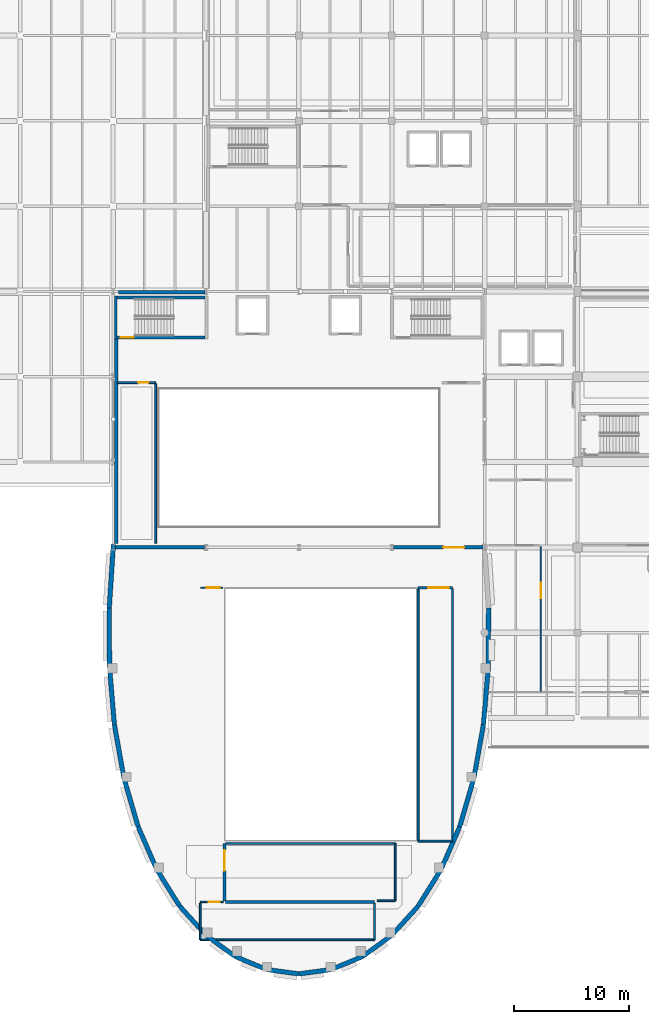
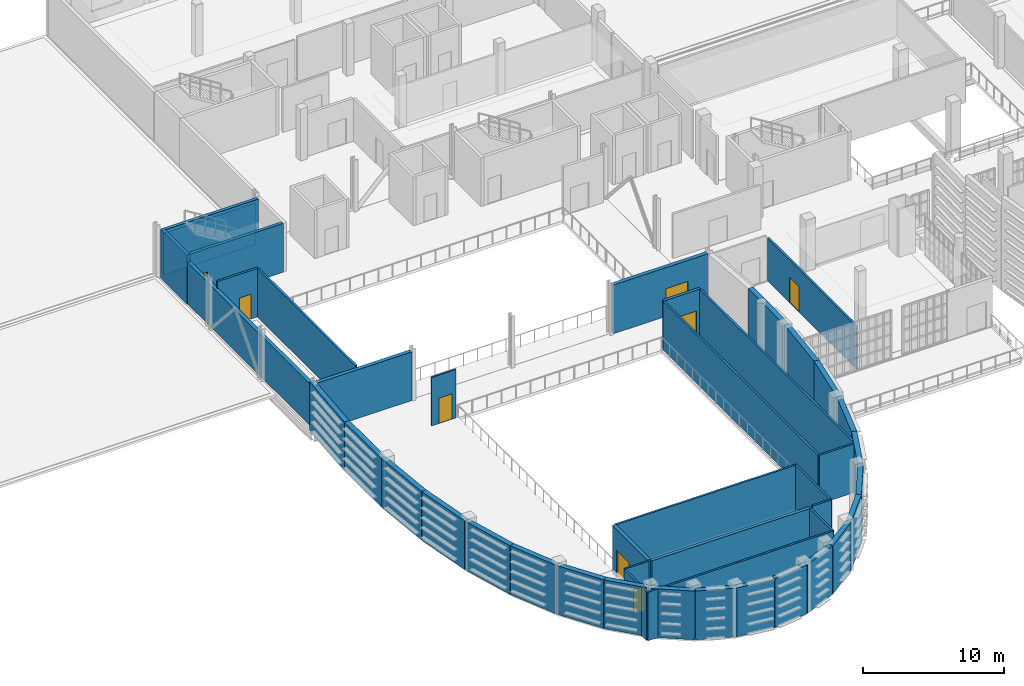
# One storey, part 59 of 73: 45 walls, 8 doors, 8 openings.
"""IFC4 building model written with IfcOpenShell, lengths in metres."""

from ifc_helpers import new_model, si_unit, direction, frame, frame_2d, origin, place, context, subcontext, project, spatial, rectangle, extrude, material, layer, layer_set, type_object, element, fill, save


model = new_model("IFC4")

# Units and contexts
model_context = context("Model", 3, precision=1e-05, world=origin(), true_north=direction((0.0, 1.0)))
body_context = subcontext(model_context, "Body", "Model", "MODEL_VIEW")
ifc_project = project(units=[si_unit("LENGTHUNIT", "METRE"), si_unit("AREAUNIT", "SQUARE_METRE"), si_unit("VOLUMEUNIT", "CUBIC_METRE"), si_unit("PLANEANGLEUNIT", "RADIAN"), si_unit("MASSUNIT", "GRAM", prefix="KILO")], contexts=[model_context])

# Site, building, storey
site_placement = place(None, origin())
site = spatial("IfcSite", under=ifc_project, at=site_placement, CompositionType="ELEMENT")
building_placement = place(site_placement, origin())
building = spatial("IfcBuilding", under=site, at=building_placement, Name="Kaelora Sail Theatre", CompositionType="ELEMENT")
storey_placement = place(building_placement, frame((0.0, 0.0, 10.199951171875)))
storey = spatial("IfcBuildingStorey", under=building, at=storey_placement, Name="L02", CompositionType="ELEMENT", Elevation=10.199951171875)

# Wall, opening, door
ifc_material_1 = material(Name="Concrete C40/50", Category="concrete")
ifc_layer_1 = layer(ifc_material_1, 0.25)
ifc_layer_set_1 = layer_set([ifc_layer_1], Name="Concrete C40/50")
wall_type_1 = type_object("IfcWallType", Name="ARC-WL-CW-250", PredefinedType="SHEAR", material=ifc_layer_set_1)
wall_1_placement = place(storey_placement, frame((26.155029296875, 79.324951171875, 0.0), z_axis=(0.0, 0.0, 1.0), x_axis=(1.0, 0.0, 0.0)))
wall_1 = element("IfcWall", 1, at=wall_1_placement, inside=storey, type_object=wall_type_1, Name="Stair shaft ST-K1 wall L02-S", PredefinedType="SHEAR", context=body_context, shape_type="SweptSolid", body=[
    extrude(rectangle(XDim=7.639892578125, YDim=0.25, at=frame_2d((3.81982421875, 0.0))), origin(), (0.0, 0.0, 1.0), 4.22509765625),
])
opening_1_placement = place(wall_1_placement, frame((0.320068359375, 0.0, 0.0)))
opening_1 = element("IfcOpeningElement", 2, at=opening_1_placement, cuts=wall_1, Name="Opening FD-02", PredefinedType="OPENING", context=body_context, shape_type="SweptSolid", body=[
    extrude(rectangle(XDim=1.10009765625, YDim=2.199951171875, at=frame_2d((0.550048828125, 1.10009765625))), frame((0.0, 0.135, 0.0), z_axis=(0.0, -1.0, 0.0), x_axis=(1.0, 0.0, 0.0)), (0.0, 0.0, 1.0), 0.27),
])
ifc_material_2 = material(Name="Acoustic steel single stair/lobby fire door EI 90-C", Category="steel")
door_type_1 = type_object("IfcDoorType", Name="ARC-DR-FD-02", OperationType="NOTDEFINED", PredefinedType="DOOR", material=ifc_material_2)
door_1_placement = place(opening_1_placement, origin())
door_1 = element("IfcDoor", 3, at=door_1_placement, inside=storey, type_object=door_type_1, Name="Stair ST-K1 door (L02)", OperationType="SINGLE_SWING_LEFT", OverallHeight=2.199951171875, OverallWidth=1.10009765625, PredefinedType="DOOR", context=body_context, shape_type="SweptSolid", body=[
    extrude(rectangle(XDim=1.10009765625, YDim=2.199951171875, at=frame_2d((0.550048828125, 1.10009765625))), frame((0.0, 0.02490234375, 0.0), z_axis=(0.0, -1.0, 0.0), x_axis=(1.0, 0.0, 0.0)), (0.0, 0.0, 1.0), 0.050048828125),
])
fill(opening_1, door_1)

# Walls
wall_2_placement = place(storey_placement, frame((26.155029296875, 82.824951171875, 0.0), z_axis=(0.0, 0.0, 1.0), x_axis=(1.0, 0.0, 0.0)))
element("IfcWall", 4, at=wall_2_placement, inside=storey, type_object=wall_type_1, Name="Stair shaft ST-K1 wall L02-N", PredefinedType="SHEAR", context=body_context, shape_type="SweptSolid", body=[
    extrude(rectangle(XDim=7.639892578125, YDim=0.25, at=frame_2d((3.81982421875, 0.0))), origin(), (0.0, 0.0, 1.0), 4.22509765625),
])
wall_3_placement = place(storey_placement, frame((26.02490234375, 79.199951171875, 0.0), z_axis=(0.0, 0.0, 1.0), x_axis=(0.0, 1.0, 0.0)))
element("IfcWall", 5, at=wall_3_placement, inside=storey, type_object=wall_type_1, Name="Stair shaft ST-K1 wall L02-W", PredefinedType="SHEAR", context=body_context, shape_type="SweptSolid", body=[
    extrude(rectangle(XDim=3.75, YDim=0.25, at=frame_2d((1.875, 0.0))), origin(), (0.0, 0.0, 1.0), 4.22509765625),
])
ifc_material_3 = material(Name="Concrete C45/55", Category="concrete")
ifc_layer_2 = layer(ifc_material_3, 0.300048828125)
ifc_layer_set_2 = layer_set([ifc_layer_2], Name="Concrete C45/55")
wall_type_2 = type_object("IfcWallType", Name="ARC-WL-CW-300", PredefinedType="SHEAR", material=ifc_layer_set_2)
wall_4_placement = place(storey_placement, frame((25.951904296875, 61.02001953125, 0.0), z_axis=(0.0, 0.0, 1.0), x_axis=(1.0, 0.0, 0.0)))
element("IfcWall", 6, at=wall_4_placement, inside=storey, type_object=wall_type_2, Name="Proscenium fire wall L02-W", PredefinedType="SHEAR", context=body_context, shape_type="SweptSolid", body=[
    extrude(rectangle(XDim=7.796142578125, YDim=0.300048828125, at=frame_2d((3.89794921875, 0.0))), origin(), (0.0, 0.0, 1.0), 4.22509765625),
])

# Wall, opening, door
wall_5_placement = place(storey_placement, frame((50.251953125, 61.02001953125, 0.0), z_axis=(0.0, 0.0, 1.0), x_axis=(1.0, 0.0, 0.0)))
wall_5 = element("IfcWall", 7, at=wall_5_placement, inside=storey, type_object=wall_type_2, Name="Proscenium fire wall L02-E", PredefinedType="SHEAR", context=body_context, shape_type="SweptSolid", body=[
    extrude(rectangle(XDim=7.796142578125, YDim=0.300048828125, at=frame_2d((3.89794921875, 0.0))), origin(), (0.0, 0.0, 1.0), 4.22509765625),
])
opening_2_placement = place(wall_5_placement, frame((4.35009765625, 0.0, 0.0)))
opening_2 = element("IfcOpeningElement", 8, at=opening_2_placement, cuts=wall_5, Name="Opening FD-03", PredefinedType="OPENING", context=body_context, shape_type="SweptSolid", body=[
    extrude(rectangle(XDim=1.800048828125, YDim=2.39990234375, at=frame_2d((0.89990234375, 1.199951171875))), frame((0.0, 0.159902, 0.0), z_axis=(0.0, -1.0, 0.0), x_axis=(1.0, 0.0, 0.0)), (0.0, 0.0, 1.0), 0.320049),
])
ifc_material_4 = material(Name="Auditorium acoustic double sound-lock fire door FD60S", Category="steel")
door_type_2 = type_object("IfcDoorType", Name="ARC-DR-FD-03", OperationType="NOTDEFINED", PredefinedType="DOOR", material=ifc_material_4)
door_2_placement = place(opening_2_placement, origin())
door_2 = element("IfcDoor", 9, at=door_2_placement, inside=storey, type_object=door_type_2, Name="Stage-to-Auditorium Fire Door L02", OperationType="DOUBLE_DOOR_SINGLE_SWING", OverallHeight=2.39990234375, OverallWidth=1.800048828125, PredefinedType="DOOR", context=body_context, shape_type="SweptSolid", body=[
    extrude(rectangle(XDim=1.800048828125, YDim=2.39990234375, at=frame_2d((0.89990234375, 1.199951171875))), frame((0.0, 0.02490234375, 0.0), z_axis=(0.0, -1.0, 0.0), x_axis=(1.0, 0.0, 0.0)), (0.0, 0.0, 1.0), 0.050048828125),
])
fill(opening_2, door_2)

# Walls
ifc_material_5 = material(Name="Concrete C50/60", Category="concrete")
ifc_layer_3 = layer(ifc_material_5, 0.39990234375)
ifc_layer_set_3 = layer_set([ifc_layer_3], Name="Concrete C50/60")
wall_type_3 = type_object("IfcWallType", Name="ARC-WL-DW-400", PredefinedType="SHEAR", material=ifc_layer_set_3)
wall_6_placement = place(storey_placement, frame((58.542236328125, 55.725830078125, 0.0), z_axis=(0.0, 0.0, 1.0), x_axis=(-0.004895671688, -0.999988016128, 0.0)))
element("IfcWall", 10, at=wall_6_placement, inside=storey, type_object=wall_type_3, Name="Main Theatre Sail Drum curved drum acoustic wall L02 chord 2", PredefinedType="SHEAR", context=body_context, shape_type="SweptSolid", body=[
    extrude(rectangle(XDim=5.186279296875, YDim=0.39990234375, at=frame_2d((2.59326171875, 0.0))), origin(), (0.0, 0.0, 1.0), 4.22509765625),
])
wall_7_placement = place(storey_placement, frame((58.516845703125, 50.53955078125, 0.0), z_axis=(0.0, 0.0, 1.0), x_axis=(-0.084239735825, -0.996445516277, 0.0)))
element("IfcWall", 11, at=wall_7_placement, inside=storey, type_object=wall_type_3, Name="Main Theatre Sail Drum curved drum acoustic wall L02 chord 3", PredefinedType="SHEAR", context=body_context, shape_type="SweptSolid", body=[
    extrude(rectangle(XDim=4.99072265625, YDim=0.39990234375, at=frame_2d((2.495361328125, 0.0))), origin(), (0.0, 0.0, 1.0), 4.22509765625),
])
wall_8_placement = place(storey_placement, frame((58.096435546875, 45.566650390625, 0.0), z_axis=(0.0, 0.0, 1.0), x_axis=(-0.17557456422, -0.98446613573, 0.0)))
element("IfcWall", 12, at=wall_8_placement, inside=storey, type_object=wall_type_3, Name="Main Theatre Sail Drum curved drum acoustic wall L02 chord 4", PredefinedType="SHEAR", context=body_context, shape_type="SweptSolid", body=[
    extrude(rectangle(XDim=4.73193359375, YDim=0.39990234375, at=frame_2d((2.365966796875, 0.0))), origin(), (0.0, 0.0, 1.0), 4.22509765625),
])
wall_9_placement = place(storey_placement, frame((57.265625, 40.908203125, 0.0), z_axis=(0.0, 0.0, 1.0), x_axis=(-0.280296498643, -0.959913471542, 0.0)))
element("IfcWall", 13, at=wall_9_placement, inside=storey, type_object=wall_type_3, Name="Main Theatre Sail Drum curved drum acoustic wall L02 chord 5", PredefinedType="SHEAR", context=body_context, shape_type="SweptSolid", body=[
    extrude(rectangle(XDim=4.426513671875, YDim=0.39990234375, at=frame_2d((2.21337890625, 0.0))), origin(), (0.0, 0.0, 1.0), 4.22509765625),
])
wall_10_placement = place(storey_placement, frame((56.02490234375, 36.6591796875, 0.0), z_axis=(0.0, 0.0, 1.0), x_axis=(-0.39928213013, -0.916828108513, 0.0)))
element("IfcWall", 14, at=wall_10_placement, inside=storey, type_object=wall_type_3, Name="Main Theatre Sail Drum curved drum acoustic wall L02 chord 6", PredefinedType="SHEAR", context=body_context, shape_type="SweptSolid", body=[
    extrude(rectangle(XDim=4.09375, YDim=0.39990234375, at=frame_2d((2.046875, 0.0))), origin(), (0.0, 0.0, 1.0), 4.22509765625),
])
wall_11_placement = place(storey_placement, frame((54.390380859375, 32.906005859375, 0.0), z_axis=(0.0, 0.0, 1.0), x_axis=(-0.531284290946, -0.847193603726, 0.0)))
element("IfcWall", 15, at=wall_11_placement, inside=storey, type_object=wall_type_3, Name="Main Theatre Sail Drum curved drum acoustic wall L02 chord 7", PredefinedType="SHEAR", context=body_context, shape_type="SweptSolid", body=[
    extrude(rectangle(XDim=3.75439453125, YDim=0.39990234375, at=frame_2d((1.877197265625, 0.0))), origin(), (0.0, 0.0, 1.0), 4.22509765625),
])
wall_12_placement = place(storey_placement, frame((52.395751953125, 29.725341796875, 0.0), z_axis=(0.0, 0.0, 1.0), x_axis=(-0.671588971211, -0.740923919001, 0.0)))
element("IfcWall", 16, at=wall_12_placement, inside=storey, type_object=wall_type_3, Name="Main Theatre Sail Drum curved drum acoustic wall L02 chord 8", PredefinedType="SHEAR", context=body_context, shape_type="SweptSolid", body=[
    extrude(rectangle(XDim=3.43310546875, YDim=0.39990234375, at=frame_2d((1.716552734375, 0.0))), origin(), (0.0, 0.0, 1.0), 4.22509765625),
])
wall_13_placement = place(storey_placement, frame((50.090087890625, 27.181640625, 0.0), z_axis=(0.0, 0.0, 1.0), x_axis=(-0.809033741653, -0.587762200951, 0.0)))
element("IfcWall", 17, at=wall_13_placement, inside=storey, type_object=wall_type_3, Name="Main Theatre Sail Drum curved drum acoustic wall L02 chord 9", PredefinedType="SHEAR", context=body_context, shape_type="SweptSolid", body=[
    extrude(rectangle(XDim=3.155517578125, YDim=0.39990234375, at=frame_2d((1.57763671875, 0.0))), origin(), (0.0, 0.0, 1.0), 4.22509765625),
])
wall_14_placement = place(storey_placement, frame((47.537109375, 25.326904296875, 0.0), z_axis=(0.0, 0.0, 1.0), x_axis=(-0.923897776758, -0.382639383887, 0.0)))
element("IfcWall", 18, at=wall_14_placement, inside=storey, type_object=wall_type_3, Name="Main Theatre Sail Drum curved drum acoustic wall L02 chord 10", PredefinedType="SHEAR", context=body_context, shape_type="SweptSolid", body=[
    extrude(rectangle(XDim=2.948974609375, YDim=0.39990234375, at=frame_2d((1.474609375, 0.0))), origin(), (0.0, 0.0, 1.0), 4.22509765625),
])
for number, where, z_axis, x_axis, name in (
    (19, (44.8125, 24.198486328125, 0.0), (0.0, 0.0, 1.0), (-0.991069409398, -0.133347012549, 0.0), "Main Theatre Sail Drum curved drum acoustic wall L02 chord 11"),
    (20, (42.0, 23.820068359375, 0.0), (0.0, 0.0, 1.0), (-0.991069409398, 0.133347012549, 0.0), "Main Theatre Sail Drum curved drum acoustic wall L02 chord 12"),
):
    element("IfcWall", number, at=place(storey_placement, frame(where, z_axis=z_axis, x_axis=x_axis)), inside=storey, type_object=wall_type_3, Name=name, PredefinedType="SHEAR", context=body_context, shape_type="SweptSolid", body=[
        extrude(rectangle(XDim=2.837890625, YDim=0.39990234375, at=frame_2d((1.4189453125, 0.0))), origin(), (0.0, 0.0, 1.0), 4.22509765625),
    ])
wall_15_placement = place(storey_placement, frame((39.1875, 24.198486328125, 0.0), z_axis=(0.0, 0.0, 1.0), x_axis=(-0.923897776758, 0.382639383887, 0.0)))
element("IfcWall", 21, at=wall_15_placement, inside=storey, type_object=wall_type_3, Name="Main Theatre Sail Drum curved drum acoustic wall L02 chord 13", PredefinedType="SHEAR", context=body_context, shape_type="SweptSolid", body=[
    extrude(rectangle(XDim=2.948974609375, YDim=0.39990234375, at=frame_2d((1.474609375, 0.0))), origin(), (0.0, 0.0, 1.0), 4.22509765625),
])
wall_16_placement = place(storey_placement, frame((36.462890625, 25.326904296875, 0.0), z_axis=(0.0, 0.0, 1.0), x_axis=(-0.809033741653, 0.587762200951, 0.0)))
element("IfcWall", 22, at=wall_16_placement, inside=storey, type_object=wall_type_3, Name="Main Theatre Sail Drum curved drum acoustic wall L02 chord 14", PredefinedType="SHEAR", context=body_context, shape_type="SweptSolid", body=[
    extrude(rectangle(XDim=3.155517578125, YDim=0.39990234375, at=frame_2d((1.57763671875, 0.0))), origin(), (0.0, 0.0, 1.0), 4.22509765625),
])
wall_17_placement = place(storey_placement, frame((33.909912109375, 27.181640625, 0.0), z_axis=(0.0, 0.0, 1.0), x_axis=(-0.671588971211, 0.740923919001, 0.0)))
element("IfcWall", 23, at=wall_17_placement, inside=storey, type_object=wall_type_3, Name="Main Theatre Sail Drum curved drum acoustic wall L02 chord 15", PredefinedType="SHEAR", context=body_context, shape_type="SweptSolid", body=[
    extrude(rectangle(XDim=3.43310546875, YDim=0.39990234375, at=frame_2d((1.716552734375, 0.0))), origin(), (0.0, 0.0, 1.0), 4.22509765625),
])
wall_18_placement = place(storey_placement, frame((31.604248046875, 29.725341796875, 0.0), z_axis=(0.0, 0.0, 1.0), x_axis=(-0.531284290946, 0.847193603726, 0.0)))
element("IfcWall", 24, at=wall_18_placement, inside=storey, type_object=wall_type_3, Name="Main Theatre Sail Drum curved drum acoustic wall L02 chord 16", PredefinedType="SHEAR", context=body_context, shape_type="SweptSolid", body=[
    extrude(rectangle(XDim=3.75439453125, YDim=0.39990234375, at=frame_2d((1.877197265625, 0.0))), origin(), (0.0, 0.0, 1.0), 4.22509765625),
])
wall_19_placement = place(storey_placement, frame((29.609619140625, 32.906005859375, 0.0), z_axis=(0.0, 0.0, 1.0), x_axis=(-0.39928213013, 0.916828108513, 0.0)))
element("IfcWall", 25, at=wall_19_placement, inside=storey, type_object=wall_type_3, Name="Main Theatre Sail Drum curved drum acoustic wall L02 chord 17", PredefinedType="SHEAR", context=body_context, shape_type="SweptSolid", body=[
    extrude(rectangle(XDim=4.09375, YDim=0.39990234375, at=frame_2d((2.046875, 0.0))), origin(), (0.0, 0.0, 1.0), 4.22509765625),
])
wall_20_placement = place(storey_placement, frame((27.97509765625, 36.6591796875, 0.0), z_axis=(0.0, 0.0, 1.0), x_axis=(-0.280296498643, 0.959913471542, 0.0)))
element("IfcWall", 26, at=wall_20_placement, inside=storey, type_object=wall_type_3, Name="Main Theatre Sail Drum curved drum acoustic wall L02 chord 18", PredefinedType="SHEAR", context=body_context, shape_type="SweptSolid", body=[
    extrude(rectangle(XDim=4.426513671875, YDim=0.39990234375, at=frame_2d((2.21337890625, 0.0))), origin(), (0.0, 0.0, 1.0), 4.22509765625),
])
wall_21_placement = place(storey_placement, frame((26.734375, 40.908203125, 0.0), z_axis=(0.0, 0.0, 1.0), x_axis=(-0.17557456422, 0.98446613573, 0.0)))
element("IfcWall", 27, at=wall_21_placement, inside=storey, type_object=wall_type_3, Name="Main Theatre Sail Drum curved drum acoustic wall L02 chord 19", PredefinedType="SHEAR", context=body_context, shape_type="SweptSolid", body=[
    extrude(rectangle(XDim=4.73193359375, YDim=0.39990234375, at=frame_2d((2.365966796875, 0.0))), origin(), (0.0, 0.0, 1.0), 4.22509765625),
])
wall_22_placement = place(storey_placement, frame((25.903564453125, 45.566650390625, 0.0), z_axis=(0.0, 0.0, 1.0), x_axis=(-0.084239735825, 0.996445516277, 0.0)))
element("IfcWall", 28, at=wall_22_placement, inside=storey, type_object=wall_type_3, Name="Main Theatre Sail Drum curved drum acoustic wall L02 chord 20", PredefinedType="SHEAR", context=body_context, shape_type="SweptSolid", body=[
    extrude(rectangle(XDim=4.99072265625, YDim=0.39990234375, at=frame_2d((2.495361328125, 0.0))), origin(), (0.0, 0.0, 1.0), 4.22509765625),
])
wall_23_placement = place(storey_placement, frame((25.483154296875, 50.53955078125, 0.0), z_axis=(0.0, 0.0, 1.0), x_axis=(-0.004895671688, 0.999988016128, 0.0)))
element("IfcWall", 29, at=wall_23_placement, inside=storey, type_object=wall_type_3, Name="Main Theatre Sail Drum curved drum acoustic wall L02 chord 21", PredefinedType="SHEAR", context=body_context, shape_type="SweptSolid", body=[
    extrude(rectangle(XDim=5.186279296875, YDim=0.39990234375, at=frame_2d((2.59326171875, 0.0))), origin(), (0.0, 0.0, 1.0), 4.22509765625),
])
wall_24_placement = place(storey_placement, frame((25.457763671875, 55.725830078125, 0.0), z_axis=(0.0, 0.0, 1.0), x_axis=(0.064519893008, 0.997916421053, 0.0)))
element("IfcWall", 30, at=wall_24_placement, inside=storey, type_object=wall_type_3, Name="Main Theatre Sail Drum curved drum acoustic wall L02 chord 22", PredefinedType="SHEAR", context=body_context, shape_type="SweptSolid", body=[
    extrude(rectangle(XDim=5.585205078125, YDim=0.39990234375, at=frame_2d((2.79248046875, 0.0))), origin(), (0.0, 0.0, 1.0), 4.22509765625),
])
ifc_material_6 = material(Name="Concrete C40/50", Category="concrete")
ifc_layer_4 = layer(ifc_material_6, 0.300048828125)
ifc_layer_set_4 = layer_set([ifc_layer_4], Name="Concrete C40/50")
wall_type_4 = type_object("IfcWallType", Name="ARC-WL-EW-300", PredefinedType="SOLIDWALL", material=ifc_layer_set_4)
wall_25_placement = place(storey_placement, frame((26.080078125, 61.35009765625, 0.0), z_axis=(0.0, 0.0, 1.0), x_axis=(0.0, 1.0, 0.0)))
element("IfcWall", 31, at=wall_25_placement, inside=storey, type_object=wall_type_4, Name="Fly Tower West Acoustic Stage-House Wall (L02)", PredefinedType="SOLIDWALL", context=body_context, shape_type="SweptSolid", body=[
    extrude(rectangle(XDim=17.949951171875, YDim=0.300048828125, at=frame_2d((8.97509765625, 0.0))), origin(), (0.0, 0.0, 1.0), 3.60498046875),
])
wall_26_placement = place(storey_placement, frame((26.25, 83.280029296875, 0.0), z_axis=(0.0, 0.0, 1.0), x_axis=(1.0, 0.0, 0.0)))
element("IfcWall", 32, at=wall_26_placement, inside=storey, type_object=wall_type_4, Name="Fly Tower NW Step Closure Wall (L02)", PredefinedType="SOLIDWALL", context=body_context, shape_type="SweptSolid", body=[
    extrude(rectangle(XDim=7.550048828125, YDim=0.300048828125, at=frame_2d((3.77490234375, 0.0))), origin(), (0.0, 0.0, 1.0), 3.60498046875),
])

# Wall, opening, door
ifc_material_7 = material(Name="Standard metal-stud partition 120 mm", Category="gypsum")
ifc_layer_5 = layer(ifc_material_7, 0.1201171875)
ifc_layer_set_5 = layer_set([ifc_layer_5], Name="Standard metal-stud partition 120 mm")
wall_type_5 = type_object("IfcWallType", Name="ARC-WL-PT-120", PredefinedType="PARTITIONING", material=ifc_layer_set_5)
wall_27_placement = place(storey_placement, frame((33.39990234375, 57.5, 0.0), z_axis=(0.0, 0.0, 1.0), x_axis=(1.0, 0.0, 0.0)))
wall_27 = element("IfcWall", 33, at=wall_27_placement, inside=storey, type_object=wall_type_5, Name="Interior acoustic partition L02-GAL-MAIN-W/L02-MAIN-LOB", PredefinedType="PARTITIONING", context=body_context, shape_type="SweptSolid", body=[
    extrude(rectangle(XDim=2.0, YDim=0.1201171875, at=frame_2d((1.0, 0.0))), origin(), (0.0, 0.0, 1.0), 4.205078125),
])
opening_3_placement = place(wall_27_placement, frame((0.580078125, 0.0, 0.0)))
opening_3 = element("IfcOpeningElement", 34, at=opening_3_placement, cuts=wall_27, Name="Opening FD-02", PredefinedType="OPENING", context=body_context, shape_type="SweptSolid", body=[
    extrude(rectangle(XDim=1.10009765625, YDim=2.199951171875, at=frame_2d((0.550048828125, 1.10009765625))), frame((0.0, 0.070059, 0.0), z_axis=(0.0, -1.0, 0.0), x_axis=(1.0, 0.0, 0.0)), (0.0, 0.0, 1.0), 0.140117),
])
door_3_placement = place(opening_3_placement, origin())
door_3 = element("IfcDoor", 35, at=door_3_placement, inside=storey, type_object=door_type_1, Name="Interior door L02-GAL-MAIN-W to L02-MAIN-LOB", OperationType="SINGLE_SWING_LEFT", OverallHeight=2.199951171875, OverallWidth=1.10009765625, PredefinedType="DOOR", context=body_context, shape_type="SweptSolid", body=[
    extrude(rectangle(XDim=1.10009765625, YDim=2.199951171875, at=frame_2d((0.550048828125, 1.10009765625))), frame((0.0, 0.02490234375, 0.0), z_axis=(0.0, -1.0, 0.0), x_axis=(1.0, 0.0, 0.0)), (0.0, 0.0, 1.0), 0.050048828125),
])
fill(opening_3, door_3)

ifc_material_8 = material(Name="Dressing room acoustic partition 130 mm", Category="gypsum")
ifc_layer_6 = layer(ifc_material_8, 0.1298828125)
ifc_layer_set_6 = layer_set([ifc_layer_6], Name="Dressing room acoustic partition 130 mm")
wall_type_6 = type_object("IfcWallType", Name="ARC-WL-PT-130", PredefinedType="PARTITIONING", material=ifc_layer_set_6)
wall_28_placement = place(storey_placement, frame((33.39990234375, 30.10009765625, 0.0), z_axis=(0.0, 0.0, 1.0), x_axis=(1.0, 0.0, 0.0)))
wall_28 = element("IfcWall", 36, at=wall_28_placement, inside=storey, type_object=wall_type_6, Name="Interior acoustic partition L02-GAL-MAIN-W/L02-SOUND-CTL", PredefinedType="PARTITIONING", context=body_context, shape_type="SweptSolid", body=[
    extrude(rectangle(XDim=2.0, YDim=0.1298828125, at=frame_2d((1.0, 0.0))), origin(), (0.0, 0.0, 1.0), 4.205078125),
])
opening_4_placement = place(wall_28_placement, frame((0.72998046875, 0.0, 0.0)))
opening_4 = element("IfcOpeningElement", 37, at=opening_4_placement, cuts=wall_28, Name="Opening ID-02", PredefinedType="OPENING", context=body_context, shape_type="SweptSolid", body=[
    extrude(rectangle(XDim=0.949951171875, YDim=2.14990234375, at=frame_2d((0.47509765625, 1.074951171875))), frame((0.0, 0.074941, 0.0), z_axis=(0.0, -1.0, 0.0), x_axis=(1.0, 0.0, 0.0)), (0.0, 0.0, 1.0), 0.149883),
])
ifc_material_9 = material(Name="Timber dressing and office single door", Category="wood")
door_type_3 = type_object("IfcDoorType", Name="ARC-DR-ID-02", OperationType="NOTDEFINED", PredefinedType="DOOR", material=ifc_material_9)
door_4_placement = place(opening_4_placement, origin())
door_4 = element("IfcDoor", 38, at=door_4_placement, inside=storey, type_object=door_type_3, Name="Interior door L02-GAL-MAIN-W to L02-SOUND-CTL", OperationType="SINGLE_SWING_LEFT", OverallHeight=2.14990234375, OverallWidth=0.949951171875, PredefinedType="DOOR", context=body_context, shape_type="SweptSolid", body=[
    extrude(rectangle(XDim=0.949951171875, YDim=2.14990234375, at=frame_2d((0.47509765625, 1.074951171875))), frame((0.0, 0.02490234375, 0.0), z_axis=(0.0, -1.0, 0.0), x_axis=(1.0, 0.0, 0.0)), (0.0, 0.0, 1.0), 0.050048828125),
])
fill(opening_4, door_4)

ifc_material_10 = material(Name="Acoustic metal-stud plasterboard 160 mm", Category="gypsum")
ifc_layer_7 = layer(ifc_material_10, 0.159912109375)
ifc_layer_set_7 = layer_set([ifc_layer_7], Name="Acoustic metal-stud plasterboard 160 mm")
wall_type_7 = type_object("IfcWallType", Name="ARC-WL-PT-160", PredefinedType="PARTITIONING", material=ifc_layer_set_7)
wall_29_placement = place(storey_placement, frame((63.10009765625, 48.469970703125, 0.0), z_axis=(0.0, 0.0, 1.0), x_axis=(0.0, 1.0, 0.0)))
wall_29 = element("IfcWall", 39, at=wall_29_placement, inside=storey, type_object=wall_type_7, Name="Interior acoustic partition L02-COR-INTER1/L02-FOY-INTER1", PredefinedType="PARTITIONING", context=body_context, shape_type="SweptSolid", body=[
    extrude(rectangle(XDim=12.630126953125, YDim=0.159912109375, at=frame_2d((6.31494140625, 0.0))), origin(), (0.0, 0.0, 1.0), 3.70703125),
])
opening_5_placement = place(wall_29_placement, frame((8.1201171875, 0.0, 0.0)))
opening_5 = element("IfcOpeningElement", 40, at=opening_5_placement, cuts=wall_29, Name="Opening ID-08", PredefinedType="OPENING", context=body_context, shape_type="SweptSolid", body=[
    extrude(rectangle(XDim=1.35009765625, YDim=2.199951171875, at=frame_2d((0.675048828125, 1.10009765625))), frame((0.0, 0.090078, 0.0), z_axis=(0.0, -1.0, 0.0), x_axis=(1.0, 0.0, 0.0)), (0.0, 0.0, 1.0), 0.179912),
])
ifc_material_11 = material(Name="Instrument & libretto leaf-and-a-half door", Category="steel")
door_type_4 = type_object("IfcDoorType", Name="ARC-DR-ID-08", OperationType="NOTDEFINED", PredefinedType="DOOR", material=ifc_material_11)
door_5_placement = place(opening_5_placement, origin())
door_5 = element("IfcDoor", 41, at=door_5_placement, inside=storey, type_object=door_type_4, Name="Interior door L02-COR-INTER1 to L02-FOY-INTER1", OperationType="SINGLE_SWING_RIGHT", OverallHeight=2.199951171875, OverallWidth=1.35009765625, PredefinedType="DOOR", context=body_context, shape_type="SweptSolid", body=[
    extrude(rectangle(XDim=1.35009765625, YDim=2.199951171875, at=frame_2d((0.675048828125, 1.10009765625))), frame((0.0, 0.02490234375, 0.0), z_axis=(0.0, -1.0, 0.0), x_axis=(1.0, 0.0, 0.0)), (0.0, 0.0, 1.0), 0.050048828125),
])
fill(opening_5, door_5)

# Walls
wall_30_placement = place(storey_placement, frame((48.85009765625, 30.199951171875, 0.0), z_axis=(0.0, 0.0, 1.0), x_axis=(1.0, 0.0, 0.0)))
element("IfcWall", 42, at=wall_30_placement, inside=storey, type_object=wall_type_7, Name="Room enclosure wall L02-GAL-MAIN-S-S1", PredefinedType="PARTITIONING", context=body_context, shape_type="SweptSolid", body=[
    extrude(rectangle(XDim=1.5498046875, YDim=0.159912109375, at=frame_2d((0.77490234375, 0.0))), origin(), (0.0, 0.0, 1.0), 4.205078125),
])
wall_31_placement = place(storey_placement, frame((35.60009765625, 35.199951171875, 0.0), z_axis=(0.0, 0.0, 1.0), x_axis=(1.0, 0.0, 0.0)))
element("IfcWall", 43, at=wall_31_placement, inside=storey, type_object=wall_type_7, Name="Room enclosure wall L02-GAL-MAIN-S-N1", PredefinedType="PARTITIONING", context=body_context, shape_type="SweptSolid", body=[
    extrude(rectangle(XDim=14.7998046875, YDim=0.159912109375, at=frame_2d((7.39990234375, 0.0))), origin(), (0.0, 0.0, 1.0), 4.205078125),
])
wall_32_placement = place(storey_placement, frame((50.39990234375, 30.199951171875, 0.0), z_axis=(0.0, 0.0, 1.0), x_axis=(0.0, 1.0, 0.0)))
element("IfcWall", 44, at=wall_32_placement, inside=storey, type_object=wall_type_7, Name="Room enclosure wall L02-GAL-MAIN-S-E1", PredefinedType="PARTITIONING", context=body_context, shape_type="SweptSolid", body=[
    extrude(rectangle(XDim=5.0, YDim=0.159912109375, at=frame_2d((2.5, 0.0))), origin(), (0.0, 0.0, 1.0), 4.205078125),
])
wall_33_placement = place(storey_placement, frame((52.39990234375, 35.39990234375, 0.0), z_axis=(0.0, 0.0, 1.0), x_axis=(1.0, 0.0, 0.0)))
element("IfcWall", 45, at=wall_33_placement, inside=storey, type_object=wall_type_7, Name="Room enclosure wall L02-GAL-MAIN-E-S1", PredefinedType="PARTITIONING", context=body_context, shape_type="SweptSolid", body=[
    extrude(rectangle(XDim=3.0, YDim=0.159912109375, at=frame_2d((1.5, 0.0))), origin(), (0.0, 0.0, 1.0), 4.205078125),
])
for number, where, z_axis, x_axis, name in (
    (46, (52.39990234375, 35.39990234375, 0.0), (0.0, 0.0, 1.0), (0.0, 1.0, 0.0), "Room enclosure wall L02-GAL-MAIN-E-W1"),
    (47, (55.39990234375, 35.39990234375, 0.0), (0.0, 0.0, 1.0), (0.0, 1.0, 0.0), "Room enclosure wall L02-GAL-MAIN-E-E1"),
):
    element("IfcWall", number, at=place(storey_placement, frame(where, z_axis=z_axis, x_axis=x_axis)), inside=storey, type_object=wall_type_7, Name=name, PredefinedType="PARTITIONING", context=body_context, shape_type="SweptSolid", body=[
        extrude(rectangle(XDim=22.0, YDim=0.159912109375, at=frame_2d((11.0, 0.0))), origin(), (0.0, 0.0, 1.0), 4.205078125),
    ])
wall_34_placement = place(storey_placement, frame((33.39990234375, 26.800048828125, 0.0), z_axis=(0.0, 0.0, 1.0), x_axis=(1.0, 0.0, 0.0)))
element("IfcWall", 48, at=wall_34_placement, inside=storey, type_object=wall_type_7, Name="Room enclosure wall L02-SOUND-CTL-S1", PredefinedType="PARTITIONING", context=body_context, shape_type="SweptSolid", body=[
    extrude(rectangle(XDim=15.2001953125, YDim=0.159912109375, at=frame_2d((7.60009765625, 0.0))), origin(), (0.0, 0.0, 1.0), 4.205078125),
])
for number, where, z_axis, x_axis, name in (
    (49, (33.39990234375, 26.800048828125, 0.0), (0.0, 0.0, 1.0), (0.0, 1.0, 0.0), "Room enclosure wall L02-SOUND-CTL-W1"),
    (50, (48.60009765625, 26.800048828125, 0.0), (0.0, 0.0, 1.0), (0.0, 1.0, 0.0), "Room enclosure wall L02-SOUND-CTL-E1"),
):
    element("IfcWall", number, at=place(storey_placement, frame(where, z_axis=z_axis, x_axis=x_axis)), inside=storey, type_object=wall_type_7, Name=name, PredefinedType="PARTITIONING", context=body_context, shape_type="SweptSolid", body=[
        extrude(rectangle(XDim=3.199951171875, YDim=0.159912109375, at=frame_2d((1.60009765625, 0.0))), origin(), (0.0, 0.0, 1.0), 4.205078125),
    ])
wall_35_placement = place(storey_placement, frame((29.5, 61.39990234375, 0.0), z_axis=(0.0, 0.0, 1.0), x_axis=(0.0, 1.0, 0.0)))
element("IfcWall", 51, at=wall_35_placement, inside=storey, type_object=wall_type_7, Name="Room enclosure wall L02-FLY-LOCK-E1", PredefinedType="PARTITIONING", context=body_context, shape_type="SweptSolid", body=[
    extrude(rectangle(XDim=13.900146484375, YDim=0.159912109375, at=frame_2d((6.9501953125, 0.0))), origin(), (0.0, 0.0, 1.0), 4.205078125),
])

# Wall, opening, door
ifc_material_12 = material(Name="Workshop acoustic stud partition 170 mm", Category="gypsum")
ifc_layer_8 = layer(ifc_material_12, 0.169921875)
ifc_layer_set_8 = layer_set([ifc_layer_8], Name="Workshop acoustic stud partition 170 mm")
wall_type_8 = type_object("IfcWallType", Name="ARC-WL-PT-170", PredefinedType="PARTITIONING", material=ifc_layer_set_8)
wall_36_placement = place(storey_placement, frame((26.159912109375, 75.39990234375, 0.0), z_axis=(0.0, 0.0, 1.0), x_axis=(1.0, 0.0, 0.0)))
wall_36 = element("IfcWall", 52, at=wall_36_placement, inside=storey, type_object=wall_type_8, Name="Interior acoustic partition L02-FLY-LOCK/L02-COR-FLY", PredefinedType="PARTITIONING", context=body_context, shape_type="SweptSolid", body=[
    extrude(rectangle(XDim=3.340087890625, YDim=0.169921875, at=frame_2d((1.669921875, 0.0))), origin(), (0.0, 0.0, 1.0), 4.205078125),
])
opening_6_placement = place(wall_36_placement, frame((1.81005859375, 0.0, 0.0)))
opening_6 = element("IfcOpeningElement", 53, at=opening_6_placement, cuts=wall_36, Name="Opening ID-02", PredefinedType="OPENING", context=body_context, shape_type="SweptSolid", body=[
    extrude(rectangle(XDim=0.949951171875, YDim=2.14990234375, at=frame_2d((0.47509765625, 1.074951171875))), frame((0.0, 0.094961, 0.0), z_axis=(0.0, -1.0, 0.0), x_axis=(1.0, 0.0, 0.0)), (0.0, 0.0, 1.0), 0.189922),
])
door_6_placement = place(opening_6_placement, origin())
door_6 = element("IfcDoor", 54, at=door_6_placement, inside=storey, type_object=door_type_3, Name="Interior door L02-FLY-LOCK to L02-COR-FLY", OperationType="SINGLE_SWING_LEFT", OverallHeight=2.14990234375, OverallWidth=0.949951171875, PredefinedType="DOOR", context=body_context, shape_type="SweptSolid", body=[
    extrude(rectangle(XDim=0.949951171875, YDim=2.14990234375, at=frame_2d((0.47509765625, 1.074951171875))), frame((0.0, 0.02490234375, 0.0), z_axis=(0.0, -1.0, 0.0), x_axis=(1.0, 0.0, 0.0)), (0.0, 0.0, 1.0), 0.050048828125),
])
fill(opening_6, door_6)

ifc_material_13 = material(Name="Concrete C40/50", Category="concrete")
ifc_layer_9 = layer(ifc_material_13, 0.22998046875)
ifc_layer_set_9 = layer_set([ifc_layer_9], Name="Concrete C40/50")
wall_type_9 = type_object("IfcWallType", Name="ARC-WL-PW-230", PredefinedType="SOLIDWALL", material=ifc_layer_set_9)
wall_37_placement = place(storey_placement, frame((52.39990234375, 57.5, 0.0), z_axis=(0.0, 0.0, 1.0), x_axis=(1.0, 0.0, 0.0)))
wall_37 = element("IfcWall", 55, at=wall_37_placement, inside=storey, type_object=wall_type_9, Name="Interior acoustic partition L02-GAL-MAIN-E/L02-MAIN-LOB", PredefinedType="SOLIDWALL", context=body_context, shape_type="SweptSolid", body=[
    extrude(rectangle(XDim=3.0, YDim=0.22998046875, at=frame_2d((1.5, 0.0))), origin(), (0.0, 0.0, 1.0), 4.205078125),
])
opening_7_placement = place(wall_37_placement, frame((0.8798828125, 0.0, 0.0)))
opening_7 = element("IfcOpeningElement", 56, at=opening_7_placement, cuts=wall_37, Name="Opening FD-03", PredefinedType="OPENING", context=body_context, shape_type="SweptSolid", body=[
    extrude(rectangle(XDim=1.800048828125, YDim=2.39990234375, at=frame_2d((0.89990234375, 1.199951171875))), frame((0.0, 0.12499, 0.0), z_axis=(0.0, -1.0, 0.0), x_axis=(1.0, 0.0, 0.0)), (0.0, 0.0, 1.0), 0.24998),
])
door_7_placement = place(opening_7_placement, origin())
door_7 = element("IfcDoor", 57, at=door_7_placement, inside=storey, type_object=door_type_2, Name="Interior door L02-GAL-MAIN-E to L02-MAIN-LOB", OperationType="DOUBLE_DOOR_SINGLE_SWING", OverallHeight=2.39990234375, OverallWidth=1.800048828125, PredefinedType="DOOR", context=body_context, shape_type="SweptSolid", body=[
    extrude(rectangle(XDim=1.800048828125, YDim=2.39990234375, at=frame_2d((0.89990234375, 1.199951171875))), frame((0.0, 0.02490234375, 0.0), z_axis=(0.0, -1.0, 0.0), x_axis=(1.0, 0.0, 0.0)), (0.0, 0.0, 1.0), 0.050048828125),
])
fill(opening_7, door_7)

ifc_material_14 = material(Name="Concrete C45/55", Category="concrete")
ifc_layer_10 = layer(ifc_material_14, 0.27001953125)
ifc_layer_set_10 = layer_set([ifc_layer_10], Name="Concrete C45/55")
wall_type_10 = type_object("IfcWallType", Name="ARC-WL-PW-270", PredefinedType="SOLIDWALL", material=ifc_layer_set_10)
wall_38_placement = place(storey_placement, frame((35.5, 30.199951171875, 0.0), z_axis=(0.0, 0.0, 1.0), x_axis=(0.0, 1.0, 0.0)))
wall_38 = element("IfcWall", 58, at=wall_38_placement, inside=storey, type_object=wall_type_10, Name="Interior acoustic partition L02-GAL-MAIN-S/L02-GAL-MAIN-W", PredefinedType="SOLIDWALL", context=body_context, shape_type="SweptSolid", body=[
    extrude(rectangle(XDim=5.0, YDim=0.27001953125, at=frame_2d((2.5, 0.0))), origin(), (0.0, 0.0, 1.0), 4.205078125),
])
opening_8_placement = place(wall_38_placement, frame((2.6201171875, 0.0, 0.0)))
opening_8 = element("IfcOpeningElement", 59, at=opening_8_placement, cuts=wall_38, Name="Opening FD-03", PredefinedType="OPENING", context=body_context, shape_type="SweptSolid", body=[
    extrude(rectangle(XDim=1.800048828125, YDim=2.39990234375, at=frame_2d((0.89990234375, 1.199951171875))), frame((0.0, 0.14501, 0.0), z_axis=(0.0, -1.0, 0.0), x_axis=(1.0, 0.0, 0.0)), (0.0, 0.0, 1.0), 0.29002),
])
door_8_placement = place(opening_8_placement, origin())
door_8 = element("IfcDoor", 60, at=door_8_placement, inside=storey, type_object=door_type_2, Name="Interior door L02-GAL-MAIN-S to L02-GAL-MAIN-W", OperationType="DOUBLE_DOOR_SINGLE_SWING", OverallHeight=2.39990234375, OverallWidth=1.800048828125, PredefinedType="DOOR", context=body_context, shape_type="SweptSolid", body=[
    extrude(rectangle(XDim=1.800048828125, YDim=2.39990234375, at=frame_2d((0.89990234375, 1.199951171875))), frame((0.0, 0.02490234375, 0.0), z_axis=(0.0, -1.0, 0.0), x_axis=(1.0, 0.0, 0.0)), (0.0, 0.0, 1.0), 0.050048828125),
])
fill(opening_8, door_8)

# Wall
wall_39_placement = place(storey_placement, frame((35.60009765625, 30.10009765625, 0.0), z_axis=(0.0, 0.0, 1.0), x_axis=(1.0, 0.0, 0.0)))
element("IfcWall", 61, at=wall_39_placement, inside=storey, type_object=wall_type_10, Name="Interior acoustic partition L02-GAL-MAIN-S/L02-SOUND-CTL", PredefinedType="SOLIDWALL", context=body_context, shape_type="SweptSolid", body=[
    extrude(rectangle(XDim=13.0, YDim=0.27001953125, at=frame_2d((6.5, 0.0))), origin(), (0.0, 0.0, 1.0), 4.205078125),
])

save(model, "model.ifc")
